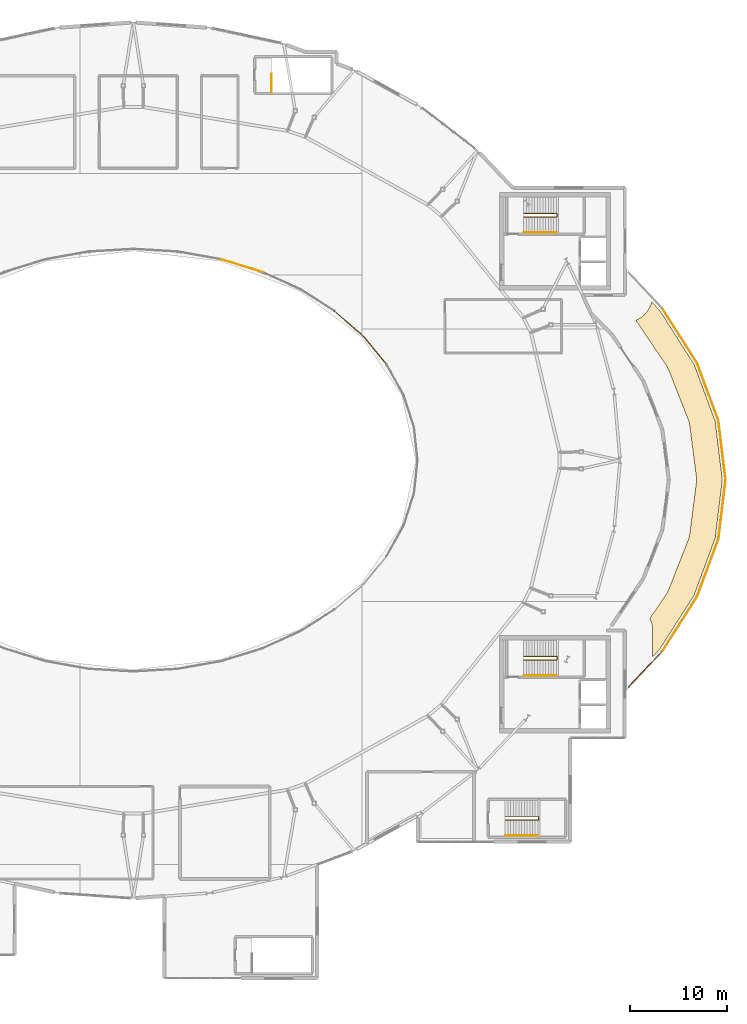
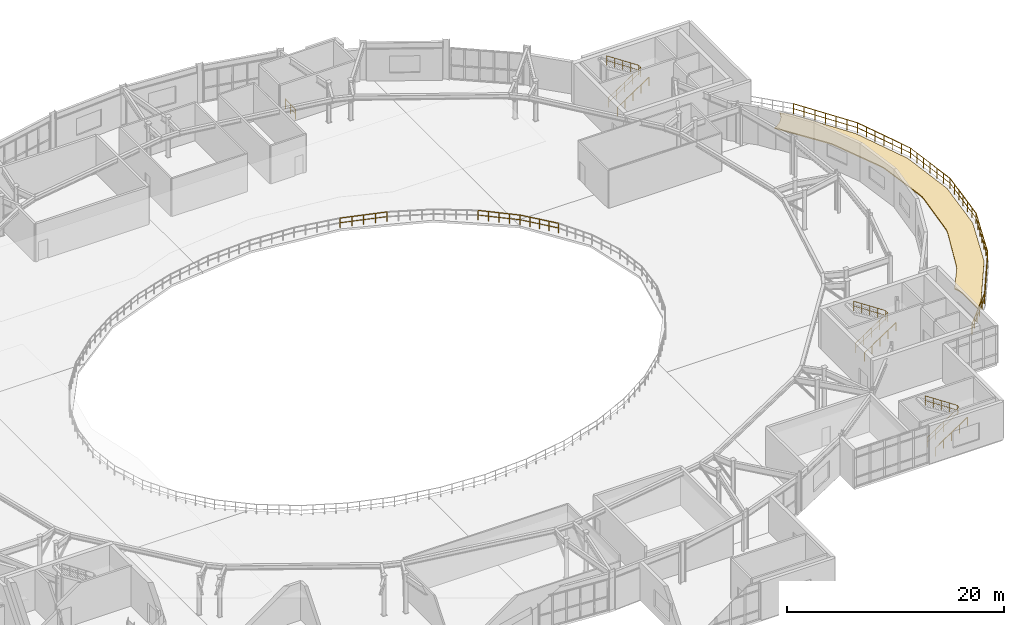
# One storey, part 47 of 48: 17 railings, 1 covering.
"""IFC4 building model written with IfcOpenShell, lengths in metres."""

from ifc_helpers import new_model, si_unit, direction, frame, origin, origin_2d, place, context, subcontext, project, spatial, polyline, circle, outline, extrude, material, layer, layer_set, type_object, element, save


model = new_model("IFC4")

# Units and contexts
model_context = context("Model", 3, precision=1e-05, world=origin(), true_north=direction((0.0, 1.0)))
body_context = subcontext(model_context, "Body", "Model", "MODEL_VIEW")
ifc_project = project(units=[si_unit("LENGTHUNIT", "METRE"), si_unit("AREAUNIT", "SQUARE_METRE"), si_unit("VOLUMEUNIT", "CUBIC_METRE"), si_unit("PLANEANGLEUNIT", "RADIAN"), si_unit("MASSUNIT", "GRAM", prefix="KILO")], contexts=[model_context])

# Site, building, storey
site_placement = place(None, origin())
site = spatial("IfcSite", under=ifc_project, at=site_placement, CompositionType="ELEMENT")
building_placement = place(site_placement, origin())
building = spatial("IfcBuilding", under=site, at=building_placement, Name="Glasvene Arena", CompositionType="ELEMENT")
storey_placement = place(building_placement, frame((0.0, 0.0, 19.5)))
storey = spatial("IfcBuildingStorey", under=building, at=storey_placement, Name="L04", CompositionType="ELEMENT", Elevation=19.5)

# Covering
ifc_material_1 = material(Name="Planted sedum green roof substrate")
ifc_layer = layer(ifc_material_1, 0.1201171875)
ifc_layer_set = layer_set([ifc_layer], Name="Planted sedum green roof substrate")
covering_type = type_object("IfcCoveringType", Name="COV-ROOF-SEDUM", PredefinedType="ROOFING", material=ifc_layer_set)
covering_placement = place(storey_placement, frame((147.055908203125, 73.1767578125, 0.0)))
element("IfcCovering", 1, at=covering_placement, inside=storey, type_object=covering_type, Name="Planted limestone terrace sedum bed TR-L04-STEP3-2-08", PredefinedType="ROOFING", context=body_context, shape_type="SweptSolid", body=[
    extrude(outline(polyline([(-3.44384765625, 14.19970703125), (-3.232177734375, 14.2998046875), (-3.193115234375, 14.320556640625), (-2.9912109375, 14.441650390625), (-2.95458984375, 14.46630859375), (-2.765380859375, 14.6064453125), (-2.731201171875, 14.634521484375), (-2.556640625, 14.792724609375), (-2.525390625, 14.823974609375), (-2.3671875, 14.99853515625), (-2.339111328125, 15.03271484375), (-2.198974609375, 15.221923828125), (-2.17431640625, 15.258544921875), (-2.05322265625, 15.46044921875), (-2.032470703125, 15.49951171875), (-1.931884765625, 15.71240234375), (-1.914794921875, 15.753173828125), (-1.83544921875, 15.974853515625), (-1.82275390625, 16.017333984375), (-1.805419921875, 16.0859375), (-0.996826171875, 15.228271484375), (2.554443359375, 9.658203125), (4.715576171875, 3.809814453125), (5.440673828125, -2.1767578125), (4.715576171875, -8.163330078125), (2.554443359375, -14.01171875), (-0.996826171875, -19.581787109375), (-1.705810546875, -20.333740234375), (-1.705810546875, -17.6767578125), (-1.706298828125, -17.654541015625), (-1.718017578125, -17.41943359375), (-1.722412109375, -17.37548828125), (-1.7568359375, -17.142578125), (-1.765625, -17.09912109375), (-1.82275390625, -16.870849609375), (-1.83544921875, -16.828369140625), (-1.914794921875, -16.606689453125), (-1.931884765625, -16.56591796875), (-1.99951171875, -16.42236328125), (-0.339599609375, -13.973388671875), (-0.326416015625, -13.952392578125), (-0.189697265625, -13.724853515625), (-0.16650390625, -13.6806640625), (-0.055908203125, -13.439453125), (-0.046142578125, -13.41650390625), (1.931884765625, -8.381103515625), (1.938232421875, -8.36376953125), (2.002685546875, -8.177734375), (2.013427734375, -8.142333984375), (2.0625, -7.95166015625), (2.070068359375, -7.91552734375), (2.103271484375, -7.721435546875), (2.10595703125, -7.703125), (2.770751953125, -2.540771484375), (2.772705078125, -2.521728515625), (2.790283203125, -2.317626953125), (2.7919921875, -2.279052734375), (2.7919921875, -2.074462890625), (2.790283203125, -2.035888671875), (2.772705078125, -1.831787109375), (2.770751953125, -1.812744140625), (2.10595703125, 3.349609375), (2.103271484375, 3.367919921875), (2.070068359375, 3.56201171875), (2.0625, 3.59814453125), (2.013427734375, 3.788818359375), (2.002685546875, 3.82421875), (1.938232421875, 4.01025390625), (1.931884765625, 4.027587890625), (-0.046142578125, 9.06298828125), (-0.055908203125, 9.0859375), (-0.16650390625, 9.3271484375), (-0.189697265625, 9.371337890625), (-0.326416015625, 9.598876953125), (-0.339599609375, 9.619873046875), (-3.44384765625, 14.19970703125)])), origin(), (0.0, 0.0, 1.0), 0.1201171875),
])

# Railings
ifc_material_2 = material(Name="Brushed stainless steel", Category="steel")
railing_type_1 = type_object("IfcRailingType", Name="RL-GUARD-1100", PredefinedType="GUARDRAIL", material=ifc_material_2)
railing_1_placement = place(storey_placement, frame((132.10009765625, 98.010009765625, 0.0)))
element("IfcRailing", 2, at=railing_1_placement, inside=storey, type_object=railing_type_1, Name="Stair inner well continuous guardrail ST-02-L04", PredefinedType="GUARDRAIL", context=body_context, shape_type="SweptSolid", body=[
    extrude(circle(Radius=0.02392578125, at=origin_2d()), frame((0.0, 0.0, 1.076171875), z_axis=(0.833924910587, 0.0, 0.551877924456), x_axis=(0.0, 1.0, 0.0)), (0.0, 0.0, 1.0), 4.076904296875),
    extrude(circle(Radius=0.01611328125, at=origin_2d()), frame((0.0, 0.0, 0.550048828125), z_axis=(0.833924910587, 0.0, 0.551877924456), x_axis=(0.0, 1.0, 0.0)), (0.0, 0.0, 1.0), 4.076904296875),
    extrude(circle(Radius=0.02392578125, at=origin_2d()), frame((3.39990234375, 0.0, 3.326171875), z_axis=(0.0, 1.0, 0.0), x_axis=(-1.0, 0.0, 0.0)), (0.0, 0.0, 1.0), 0.330078125),
    extrude(circle(Radius=0.01611328125, at=origin_2d()), frame((3.39990234375, 0.0, 2.800048828125), z_axis=(0.0, 1.0, 0.0), x_axis=(-1.0, 0.0, 0.0)), (0.0, 0.0, 1.0), 0.330078125),
    extrude(circle(Radius=0.02392578125, at=origin_2d()), frame((3.39990234375, 0.330078125, 3.326171875), z_axis=(-0.833924910587, 0.0, 0.551877924456), x_axis=(0.0, -1.0, 0.0)), (0.0, 0.0, 1.0), 4.076904296875),
    extrude(circle(Radius=0.01611328125, at=origin_2d()), frame((3.39990234375, 0.330078125, 2.800048828125), z_axis=(-0.833924910587, 0.0, 0.551877924456), x_axis=(0.0, -1.0, 0.0)), (0.0, 0.0, 1.0), 4.076904296875),
    extrude(circle(Radius=0.02099609375, at=origin_2d()), origin(), (0.0, 0.0, 1.0), 1.052001953125),
    extrude(circle(Radius=0.02099609375, at=origin_2d()), frame((0.85009765625, 0.0, 0.5625)), (0.0, 0.0, 1.0), 1.052001953125),
    extrude(circle(Radius=0.02099609375, at=origin_2d()), frame((1.699951171875, 0.0, 1.125)), (0.0, 0.0, 1.0), 1.052001953125),
    extrude(circle(Radius=0.02099609375, at=origin_2d()), frame((2.5498046875, 0.0, 1.6875)), (0.0, 0.0, 1.0), 1.052001953125),
    extrude(circle(Radius=0.02099609375, at=origin_2d()), frame((3.39990234375, 0.0, 2.25)), (0.0, 0.0, 1.0), 1.052001953125),
    extrude(circle(Radius=0.02099609375, at=origin_2d()), frame((3.39990234375, 0.330078125, 2.25)), (0.0, 0.0, 1.0), 1.052001953125),
    extrude(circle(Radius=0.02099609375, at=origin_2d()), frame((2.5498046875, 0.330078125, 2.8125)), (0.0, 0.0, 1.0), 1.052001953125),
    extrude(circle(Radius=0.02099609375, at=origin_2d()), frame((1.699951171875, 0.330078125, 3.375)), (0.0, 0.0, 1.0), 1.052001953125),
    extrude(circle(Radius=0.02099609375, at=origin_2d()), frame((0.85009765625, 0.330078125, 3.9375)), (0.0, 0.0, 1.0), 1.052001953125),
    extrude(circle(Radius=0.02099609375, at=origin_2d()), frame((0.0, 0.330078125, 4.5)), (0.0, 0.0, 1.0), 1.052001953125),
])
railing_2_placement = place(storey_placement, frame((132.10009765625, 52.510009765625, 0.0)))
element("IfcRailing", 3, at=railing_2_placement, inside=storey, type_object=railing_type_1, Name="Stair inner well continuous guardrail ST-04-L04", PredefinedType="GUARDRAIL", context=body_context, shape_type="SweptSolid", body=[
    extrude(circle(Radius=0.02392578125, at=origin_2d()), frame((0.0, 0.0, 1.076171875), z_axis=(0.833924910587, 0.0, 0.551877924456), x_axis=(0.0, 1.0, 0.0)), (0.0, 0.0, 1.0), 4.076904296875),
    extrude(circle(Radius=0.01611328125, at=origin_2d()), frame((0.0, 0.0, 0.550048828125), z_axis=(0.833924910587, 0.0, 0.551877924456), x_axis=(0.0, 1.0, 0.0)), (0.0, 0.0, 1.0), 4.076904296875),
    extrude(circle(Radius=0.02392578125, at=origin_2d()), frame((3.39990234375, 0.0, 3.326171875), z_axis=(0.0, 1.0, 0.0), x_axis=(-1.0, 0.0, 0.0)), (0.0, 0.0, 1.0), 0.330078125),
    extrude(circle(Radius=0.01611328125, at=origin_2d()), frame((3.39990234375, 0.0, 2.800048828125), z_axis=(0.0, 1.0, 0.0), x_axis=(-1.0, 0.0, 0.0)), (0.0, 0.0, 1.0), 0.330078125),
    extrude(circle(Radius=0.02392578125, at=origin_2d()), frame((3.39990234375, 0.330078125, 3.326171875), z_axis=(-0.833924910587, 0.0, 0.551877924456), x_axis=(0.0, -1.0, 0.0)), (0.0, 0.0, 1.0), 4.076904296875),
    extrude(circle(Radius=0.01611328125, at=origin_2d()), frame((3.39990234375, 0.330078125, 2.800048828125), z_axis=(-0.833924910587, 0.0, 0.551877924456), x_axis=(0.0, -1.0, 0.0)), (0.0, 0.0, 1.0), 4.076904296875),
    extrude(circle(Radius=0.02099609375, at=origin_2d()), origin(), (0.0, 0.0, 1.0), 1.052001953125),
    extrude(circle(Radius=0.02099609375, at=origin_2d()), frame((0.85009765625, 0.0, 0.5625)), (0.0, 0.0, 1.0), 1.052001953125),
    extrude(circle(Radius=0.02099609375, at=origin_2d()), frame((1.699951171875, 0.0, 1.125)), (0.0, 0.0, 1.0), 1.052001953125),
    extrude(circle(Radius=0.02099609375, at=origin_2d()), frame((2.5498046875, 0.0, 1.6875)), (0.0, 0.0, 1.0), 1.052001953125),
    extrude(circle(Radius=0.02099609375, at=origin_2d()), frame((3.39990234375, 0.0, 2.25)), (0.0, 0.0, 1.0), 1.052001953125),
    extrude(circle(Radius=0.02099609375, at=origin_2d()), frame((3.39990234375, 0.330078125, 2.25)), (0.0, 0.0, 1.0), 1.052001953125),
    extrude(circle(Radius=0.02099609375, at=origin_2d()), frame((2.5498046875, 0.330078125, 2.8125)), (0.0, 0.0, 1.0), 1.052001953125),
    extrude(circle(Radius=0.02099609375, at=origin_2d()), frame((1.699951171875, 0.330078125, 3.375)), (0.0, 0.0, 1.0), 1.052001953125),
    extrude(circle(Radius=0.02099609375, at=origin_2d()), frame((0.85009765625, 0.330078125, 3.9375)), (0.0, 0.0, 1.0), 1.052001953125),
    extrude(circle(Radius=0.02099609375, at=origin_2d()), frame((0.0, 0.330078125, 4.5)), (0.0, 0.0, 1.0), 1.052001953125),
])
railing_3_placement = place(storey_placement, frame((130.199951171875, 36.06005859375, 0.0)))
element("IfcRailing", 4, at=railing_3_placement, inside=storey, type_object=railing_type_1, Name="Stair inner well continuous guardrail ST-06-L04", PredefinedType="GUARDRAIL", context=body_context, shape_type="SweptSolid", body=[
    extrude(circle(Radius=0.02392578125, at=origin_2d()), frame((0.0, 0.0, 1.076171875), z_axis=(0.833943147616, 0.0, 0.551850366082), x_axis=(0.0, 1.0, 0.0)), (0.0, 0.0, 1.0), 4.0771484375),
    extrude(circle(Radius=0.01611328125, at=origin_2d()), frame((0.0, 0.0, 0.550048828125), z_axis=(0.833943147616, 0.0, 0.551850366082), x_axis=(0.0, 1.0, 0.0)), (0.0, 0.0, 1.0), 4.0771484375),
    extrude(circle(Radius=0.02392578125, at=origin_2d()), frame((3.400146484375, 0.0, 3.326171875), z_axis=(0.0, 1.0, 0.0), x_axis=(-1.0, 0.0, 0.0)), (0.0, 0.0, 1.0), 0.329833984375),
    extrude(circle(Radius=0.01611328125, at=origin_2d()), frame((3.400146484375, 0.0, 2.800048828125), z_axis=(0.0, 1.0, 0.0), x_axis=(-1.0, 0.0, 0.0)), (0.0, 0.0, 1.0), 0.329833984375),
    extrude(circle(Radius=0.02392578125, at=origin_2d()), frame((3.400146484375, 0.329833984375, 3.326171875), z_axis=(-0.833943147616, 0.0, 0.551850366082), x_axis=(0.0, -1.0, 0.0)), (0.0, 0.0, 1.0), 4.0771484375),
    extrude(circle(Radius=0.01611328125, at=origin_2d()), frame((3.400146484375, 0.329833984375, 2.800048828125), z_axis=(-0.833943147616, 0.0, 0.551850366082), x_axis=(0.0, -1.0, 0.0)), (0.0, 0.0, 1.0), 4.0771484375),
    extrude(circle(Radius=0.02099609375, at=origin_2d()), origin(), (0.0, 0.0, 1.0), 1.052001953125),
    extrude(circle(Radius=0.02099609375, at=origin_2d()), frame((0.85009765625, 0.0, 0.5625)), (0.0, 0.0, 1.0), 1.052001953125),
    extrude(circle(Radius=0.02099609375, at=origin_2d()), frame((1.7001953125, 0.0, 1.125)), (0.0, 0.0, 1.0), 1.052001953125),
    extrude(circle(Radius=0.02099609375, at=origin_2d()), frame((2.550048828125, 0.0, 1.6875)), (0.0, 0.0, 1.0), 1.052001953125),
    extrude(circle(Radius=0.02099609375, at=origin_2d()), frame((3.400146484375, 0.0, 2.25)), (0.0, 0.0, 1.0), 1.052001953125),
    extrude(circle(Radius=0.02099609375, at=origin_2d()), frame((3.400146484375, 0.329833984375, 2.25)), (0.0, 0.0, 1.0), 1.052001953125),
    extrude(circle(Radius=0.02099609375, at=origin_2d()), frame((2.550048828125, 0.329833984375, 2.8125)), (0.0, 0.0, 1.0), 1.052001953125),
    extrude(circle(Radius=0.02099609375, at=origin_2d()), frame((1.7001953125, 0.329833984375, 3.375)), (0.0, 0.0, 1.0), 1.052001953125),
    extrude(circle(Radius=0.02099609375, at=origin_2d()), frame((0.85009765625, 0.329833984375, 3.9375)), (0.0, 0.0, 1.0), 1.052001953125),
    extrude(circle(Radius=0.02099609375, at=origin_2d()), frame((0.0, 0.329833984375, 4.5)), (0.0, 0.0, 1.0), 1.052001953125),
])
railing_4_placement = place(storey_placement, frame((106.199951171875, 110.800048828125, 0.0)))
element("IfcRailing", 5, at=railing_4_placement, inside=storey, type_object=railing_type_1, Name="Stair top landing well guard ST-11", PredefinedType="GUARDRAIL", context=body_context, shape_type="SweptSolid", body=[
    extrude(circle(Radius=0.02392578125, at=origin_2d()), frame((0.0, 0.0, 1.076171875), z_axis=(0.0, 1.0, 0.0), x_axis=(-1.0, 0.0, 0.0)), (0.0, 0.0, 1.0), 1.89990234375),
    extrude(circle(Radius=0.01611328125, at=origin_2d()), frame((0.0, 0.0, 0.550048828125), z_axis=(0.0, 1.0, 0.0), x_axis=(-1.0, 0.0, 0.0)), (0.0, 0.0, 1.0), 1.89990234375),
    extrude(circle(Radius=0.02099609375, at=origin_2d()), origin(), (0.0, 0.0, 1.0), 1.052001953125),
    extrude(circle(Radius=0.02099609375, at=origin_2d()), frame((0.0, 0.949951171875, 0.0)), (0.0, 0.0, 1.0), 1.052001953125),
    extrude(circle(Radius=0.02099609375, at=origin_2d()), frame((0.0, 1.89990234375, 0.0)), (0.0, 0.0, 1.0), 1.052001953125),
])
railing_5_placement = place(storey_placement, frame((118.017333984375, 82.8515625, 0.0)))
element("IfcRailing", 6, at=railing_5_placement, inside=storey, type_object=railing_type_1, Name="Safety guardrail GD-BWL-L04-004", PredefinedType="GUARDRAIL", context=body_context, shape_type="SweptSolid", body=[
    extrude(circle(Radius=0.02392578125, at=origin_2d()), frame((0.0, 0.0, 1.076171875), z_axis=(-0.6361937785, 0.771529310006, 0.0), x_axis=(-0.771529310006, -0.6361937785, 0.0)), (0.0, 0.0, 1.0), 3.76318359375),
    extrude(circle(Radius=0.01611328125, at=origin_2d()), frame((0.0, 0.0, 0.550048828125), z_axis=(-0.6361937785, 0.771529310006, 0.0), x_axis=(-0.771529310006, -0.6361937785, 0.0)), (0.0, 0.0, 1.0), 3.76318359375),
    extrude(circle(Radius=0.02099609375, at=origin_2d()), origin(), (0.0, 0.0, 1.0), 1.052001953125),
    extrude(circle(Radius=0.02099609375, at=origin_2d()), frame((-0.5986328125, 0.725830078125, 0.0)), (0.0, 0.0, 1.0), 1.052001953125),
    extrude(circle(Radius=0.02099609375, at=origin_2d()), frame((-1.197021484375, 1.45166015625, 0.0)), (0.0, 0.0, 1.0), 1.052001953125),
    extrude(circle(Radius=0.02099609375, at=origin_2d()), frame((-1.79541015625, 2.177490234375, 0.0)), (0.0, 0.0, 1.0), 1.052001953125),
    extrude(circle(Radius=0.02099609375, at=origin_2d()), frame((-2.39404296875, 2.9033203125, 0.0)), (0.0, 0.0, 1.0), 1.052001953125),
])
railing_6_placement = place(storey_placement, frame((115.623291015625, 85.7548828125, 0.0)))
element("IfcRailing", 7, at=railing_6_placement, inside=storey, type_object=railing_type_1, Name="Safety guardrail GD-BWL-L04-005", PredefinedType="GUARDRAIL", context=body_context, shape_type="SweptSolid", body=[
    extrude(circle(Radius=0.02392578125, at=origin_2d()), frame((0.0, 0.0, 1.076171875), z_axis=(-0.754394959105, 0.656420784007, 0.0), x_axis=(-0.656420784007, -0.754394959105, 0.0)), (0.0, 0.0, 1.0), 3.944580078125),
    extrude(circle(Radius=0.01611328125, at=origin_2d()), frame((0.0, 0.0, 0.550048828125), z_axis=(-0.754394959105, 0.656420784007, 0.0), x_axis=(-0.656420784007, -0.754394959105, 0.0)), (0.0, 0.0, 1.0), 3.944580078125),
    extrude(circle(Radius=0.02099609375, at=origin_2d()), origin(), (0.0, 0.0, 1.0), 1.052001953125),
    extrude(circle(Radius=0.02099609375, at=origin_2d()), frame((-0.743896484375, 0.6474609375, 0.0)), (0.0, 0.0, 1.0), 1.052001953125),
    extrude(circle(Radius=0.02099609375, at=origin_2d()), frame((-1.48779296875, 1.294677734375, 0.0)), (0.0, 0.0, 1.0), 1.052001953125),
    extrude(circle(Radius=0.02099609375, at=origin_2d()), frame((-2.23193359375, 1.94189453125, 0.0)), (0.0, 0.0, 1.0), 1.052001953125),
    extrude(circle(Radius=0.02099609375, at=origin_2d()), frame((-2.975830078125, 2.58935546875, 0.0)), (0.0, 0.0, 1.0), 1.052001953125),
])
railing_7_placement = place(storey_placement, frame((105.256591796875, 92.334716796875, 0.0)))
element("IfcRailing", 8, at=railing_7_placement, inside=storey, type_object=railing_type_1, Name="Safety guardrail GD-BWL-L04-008", PredefinedType="GUARDRAIL", context=body_context, shape_type="SweptSolid", body=[
    extrude(circle(Radius=0.02392578125, at=origin_2d()), frame((0.0, 0.0, 1.076171875), z_axis=(-0.955738480796, 0.294217532323, 0.0), x_axis=(-0.294217532323, -0.955738480796, 0.0)), (0.0, 0.0, 1.0), 4.429443359375),
    extrude(circle(Radius=0.01611328125, at=origin_2d()), frame((0.0, 0.0, 0.550048828125), z_axis=(-0.955738480796, 0.294217532323, 0.0), x_axis=(-0.294217532323, -0.955738480796, 0.0)), (0.0, 0.0, 1.0), 4.429443359375),
    extrude(circle(Radius=0.02099609375, at=origin_2d()), origin(), (0.0, 0.0, 1.0), 1.052001953125),
    extrude(circle(Radius=0.02099609375, at=origin_2d()), frame((-1.058349609375, 0.32568359375, 0.0)), (0.0, 0.0, 1.0), 1.052001953125),
    extrude(circle(Radius=0.02099609375, at=origin_2d()), frame((-2.11669921875, 0.651611328125, 0.0)), (0.0, 0.0, 1.0), 1.052001953125),
    extrude(circle(Radius=0.02099609375, at=origin_2d()), frame((-3.175048828125, 0.9775390625, 0.0)), (0.0, 0.0, 1.0), 1.052001953125),
    extrude(circle(Radius=0.02099609375, at=origin_2d()), frame((-4.2333984375, 1.30322265625, 0.0)), (0.0, 0.0, 1.0), 1.052001953125),
])
ifc_material_3 = material(Name="Warm bronze architectural aluminium", Category="aluminium")
railing_type_2 = type_object("IfcRailingType", Name="RL-GUARD-EXT-1150", PredefinedType="GUARDRAIL", material=ifc_material_3)
railing_8_placement = place(storey_placement, frame((146.32080078125, 88.60888671875, 0.0)))
element("IfcRailing", 9, at=railing_8_placement, inside=storey, type_object=railing_type_2, Name="Safety guardrail GD-TER-L04-TR-L04-STEP3-2-01-001", PredefinedType="GUARDRAIL", context=body_context, shape_type="SweptSolid", body=[
    extrude(circle(Radius=0.02392578125, at=origin_2d()), frame((0.0, 0.0, 1.1259765625), z_axis=(0.537561891514, -0.84322429566, 0.0), x_axis=(0.84322429566, 0.537561891514, 0.0)), (0.0, 0.0, 1.0), 6.672607421875),
    extrude(circle(Radius=0.01611328125, at=origin_2d()), frame((0.0, 0.0, 0.574951171875), z_axis=(0.537561891514, -0.84322429566, 0.0), x_axis=(0.84322429566, 0.537561891514, 0.0)), (0.0, 0.0, 1.0), 6.672607421875),
    extrude(circle(Radius=0.02099609375, at=origin_2d()), origin(), (0.0, 0.0, 1.0), 1.101806640625),
    extrude(circle(Radius=0.02099609375, at=origin_2d()), frame((0.597900390625, -0.937744140625, 0.0)), (0.0, 0.0, 1.0), 1.101806640625),
    extrude(circle(Radius=0.02099609375, at=origin_2d()), frame((1.195556640625, -1.87548828125, 0.0)), (0.0, 0.0, 1.0), 1.101806640625),
    extrude(circle(Radius=0.02099609375, at=origin_2d()), frame((1.79345703125, -2.813232421875, 0.0)), (0.0, 0.0, 1.0), 1.101806640625),
    extrude(circle(Radius=0.02099609375, at=origin_2d()), frame((2.391357421875, -3.7509765625, 0.0)), (0.0, 0.0, 1.0), 1.101806640625),
    extrude(circle(Radius=0.02099609375, at=origin_2d()), frame((2.989013671875, -4.688720703125, 0.0)), (0.0, 0.0, 1.0), 1.101806640625),
    extrude(circle(Radius=0.02099609375, at=origin_2d()), frame((3.5869140625, -5.62646484375, 0.0)), (0.0, 0.0, 1.0), 1.101806640625),
])
railing_9_placement = place(storey_placement, frame((149.90771484375, 82.982421875, 0.0)))
element("IfcRailing", 10, at=railing_9_placement, inside=storey, type_object=railing_type_2, Name="Safety guardrail GD-TER-L04-TR-L04-STEP3-2-01-002", PredefinedType="GUARDRAIL", context=body_context, shape_type="SweptSolid", body=[
    extrude(circle(Radius=0.02392578125, at=origin_2d()), frame((0.0, 0.0, 1.1259765625), z_axis=(0.346619793576, -0.938005713576, 0.0), x_axis=(0.938005713576, 0.346619793576, 0.0)), (0.0, 0.0, 1.0), 6.308837890625),
    extrude(circle(Radius=0.01611328125, at=origin_2d()), frame((0.0, 0.0, 0.574951171875), z_axis=(0.346619793576, -0.938005713576, 0.0), x_axis=(0.938005713576, 0.346619793576, 0.0)), (0.0, 0.0, 1.0), 6.308837890625),
    extrude(circle(Radius=0.02099609375, at=origin_2d()), origin(), (0.0, 0.0, 1.0), 1.101806640625),
    extrude(circle(Radius=0.02099609375, at=origin_2d()), frame((0.364501953125, -0.986328125, 0.0)), (0.0, 0.0, 1.0), 1.101806640625),
    extrude(circle(Radius=0.02099609375, at=origin_2d()), frame((0.72900390625, -1.97265625, 0.0)), (0.0, 0.0, 1.0), 1.101806640625),
    extrude(circle(Radius=0.02099609375, at=origin_2d()), frame((1.09326171875, -2.958984375, 0.0)), (0.0, 0.0, 1.0), 1.101806640625),
    extrude(circle(Radius=0.02099609375, at=origin_2d()), frame((1.457763671875, -3.945068359375, 0.0)), (0.0, 0.0, 1.0), 1.101806640625),
    extrude(circle(Radius=0.02099609375, at=origin_2d()), frame((1.822265625, -4.931396484375, 0.0)), (0.0, 0.0, 1.0), 1.101806640625),
    extrude(circle(Radius=0.02099609375, at=origin_2d()), frame((2.186767578125, -5.917724609375, 0.0)), (0.0, 0.0, 1.0), 1.101806640625),
])
railing_10_placement = place(storey_placement, frame((152.094482421875, 77.064697265625, 0.0)))
element("IfcRailing", 11, at=railing_10_placement, inside=storey, type_object=railing_type_2, Name="Safety guardrail GD-TER-L04-TR-L04-STEP3-2-01-003", PredefinedType="GUARDRAIL", context=body_context, shape_type="SweptSolid", body=[
    extrude(circle(Radius=0.02392578125, at=origin_2d()), frame((0.0, 0.0, 1.1259765625), z_axis=(0.120251403144, -0.992743471417, 0.0), x_axis=(0.992743471417, 0.120251403144, 0.0)), (0.0, 0.0, 1.0), 6.109130859375),
    extrude(circle(Radius=0.01611328125, at=origin_2d()), frame((0.0, 0.0, 0.574951171875), z_axis=(0.120251403144, -0.992743471417, 0.0), x_axis=(0.992743471417, 0.120251403144, 0.0)), (0.0, 0.0, 1.0), 6.109130859375),
    extrude(circle(Radius=0.02099609375, at=origin_2d()), origin(), (0.0, 0.0, 1.0), 1.101806640625),
    extrude(circle(Radius=0.02099609375, at=origin_2d()), frame((0.12255859375, -1.0107421875, 0.0)), (0.0, 0.0, 1.0), 1.101806640625),
    extrude(circle(Radius=0.02099609375, at=origin_2d()), frame((0.244873046875, -2.021484375, 0.0)), (0.0, 0.0, 1.0), 1.101806640625),
    extrude(circle(Radius=0.02099609375, at=origin_2d()), frame((0.3671875, -3.0322265625, 0.0)), (0.0, 0.0, 1.0), 1.101806640625),
    extrude(circle(Radius=0.02099609375, at=origin_2d()), frame((0.48974609375, -4.043212890625, 0.0)), (0.0, 0.0, 1.0), 1.101806640625),
    extrude(circle(Radius=0.02099609375, at=origin_2d()), frame((0.6123046875, -5.053955078125, 0.0)), (0.0, 0.0, 1.0), 1.101806640625),
    extrude(circle(Radius=0.02099609375, at=origin_2d()), frame((0.734619140625, -6.064697265625, 0.0)), (0.0, 0.0, 1.0), 1.101806640625),
])
railing_11_placement = place(storey_placement, frame((152.8291015625, 71.0, 0.0)))
element("IfcRailing", 12, at=railing_11_placement, inside=storey, type_object=railing_type_2, Name="Safety guardrail GD-TER-L04-TR-L04-STEP3-2-01-004", PredefinedType="GUARDRAIL", context=body_context, shape_type="SweptSolid", body=[
    extrude(circle(Radius=0.02392578125, at=origin_2d()), frame((0.0, 0.0, 1.1259765625), z_axis=(-0.120251403144, -0.992743471417, 0.0), x_axis=(0.992743471417, -0.120251403144, 0.0)), (0.0, 0.0, 1.0), 6.109130859375),
    extrude(circle(Radius=0.01611328125, at=origin_2d()), frame((0.0, 0.0, 0.574951171875), z_axis=(-0.120251403144, -0.992743471417, 0.0), x_axis=(0.992743471417, -0.120251403144, 0.0)), (0.0, 0.0, 1.0), 6.109130859375),
    extrude(circle(Radius=0.02099609375, at=origin_2d()), origin(), (0.0, 0.0, 1.0), 1.101806640625),
    extrude(circle(Radius=0.02099609375, at=origin_2d()), frame((-0.12255859375, -1.0107421875, 0.0)), (0.0, 0.0, 1.0), 1.101806640625),
    extrude(circle(Radius=0.02099609375, at=origin_2d()), frame((-0.244873046875, -2.021484375, 0.0)), (0.0, 0.0, 1.0), 1.101806640625),
    extrude(circle(Radius=0.02099609375, at=origin_2d()), frame((-0.3671875, -3.0322265625, 0.0)), (0.0, 0.0, 1.0), 1.101806640625),
    extrude(circle(Radius=0.02099609375, at=origin_2d()), frame((-0.48974609375, -4.043212890625, 0.0)), (0.0, 0.0, 1.0), 1.101806640625),
    extrude(circle(Radius=0.02099609375, at=origin_2d()), frame((-0.6123046875, -5.053955078125, 0.0)), (0.0, 0.0, 1.0), 1.101806640625),
    extrude(circle(Radius=0.02099609375, at=origin_2d()), frame((-0.734619140625, -6.064697265625, 0.0)), (0.0, 0.0, 1.0), 1.101806640625),
])
railing_12_placement = place(storey_placement, frame((152.094482421875, 64.935302734375, 0.0)))
element("IfcRailing", 13, at=railing_12_placement, inside=storey, type_object=railing_type_2, Name="Safety guardrail GD-TER-L04-TR-L04-STEP3-2-01-005", PredefinedType="GUARDRAIL", context=body_context, shape_type="SweptSolid", body=[
    extrude(circle(Radius=0.02392578125, at=origin_2d()), frame((0.0, 0.0, 1.1259765625), z_axis=(-0.346619793576, -0.938005713576, 0.0), x_axis=(0.938005713576, -0.346619793576, 0.0)), (0.0, 0.0, 1.0), 6.308837890625),
    extrude(circle(Radius=0.01611328125, at=origin_2d()), frame((0.0, 0.0, 0.574951171875), z_axis=(-0.346619793576, -0.938005713576, 0.0), x_axis=(0.938005713576, -0.346619793576, 0.0)), (0.0, 0.0, 1.0), 6.308837890625),
    extrude(circle(Radius=0.02099609375, at=origin_2d()), origin(), (0.0, 0.0, 1.0), 1.101806640625),
    extrude(circle(Radius=0.02099609375, at=origin_2d()), frame((-0.364501953125, -0.986328125, 0.0)), (0.0, 0.0, 1.0), 1.101806640625),
    extrude(circle(Radius=0.02099609375, at=origin_2d()), frame((-0.72900390625, -1.97265625, 0.0)), (0.0, 0.0, 1.0), 1.101806640625),
    extrude(circle(Radius=0.02099609375, at=origin_2d()), frame((-1.09326171875, -2.958984375, 0.0)), (0.0, 0.0, 1.0), 1.101806640625),
    extrude(circle(Radius=0.02099609375, at=origin_2d()), frame((-1.457763671875, -3.945068359375, 0.0)), (0.0, 0.0, 1.0), 1.101806640625),
    extrude(circle(Radius=0.02099609375, at=origin_2d()), frame((-1.822265625, -4.931396484375, 0.0)), (0.0, 0.0, 1.0), 1.101806640625),
    extrude(circle(Radius=0.02099609375, at=origin_2d()), frame((-2.186767578125, -5.917724609375, 0.0)), (0.0, 0.0, 1.0), 1.101806640625),
])
railing_13_placement = place(storey_placement, frame((149.90771484375, 59.017578125, 0.0)))
element("IfcRailing", 14, at=railing_13_placement, inside=storey, type_object=railing_type_2, Name="Safety guardrail GD-TER-L04-TR-L04-STEP3-2-01-006", PredefinedType="GUARDRAIL", context=body_context, shape_type="SweptSolid", body=[
    extrude(circle(Radius=0.02392578125, at=origin_2d()), frame((0.0, 0.0, 1.1259765625), z_axis=(-0.537561891514, -0.84322429566, 0.0), x_axis=(0.84322429566, -0.537561891514, 0.0)), (0.0, 0.0, 1.0), 6.672607421875),
    extrude(circle(Radius=0.01611328125, at=origin_2d()), frame((0.0, 0.0, 0.574951171875), z_axis=(-0.537561891514, -0.84322429566, 0.0), x_axis=(0.84322429566, -0.537561891514, 0.0)), (0.0, 0.0, 1.0), 6.672607421875),
    extrude(circle(Radius=0.02099609375, at=origin_2d()), origin(), (0.0, 0.0, 1.0), 1.101806640625),
    extrude(circle(Radius=0.02099609375, at=origin_2d()), frame((-0.597900390625, -0.937744140625, 0.0)), (0.0, 0.0, 1.0), 1.101806640625),
    extrude(circle(Radius=0.02099609375, at=origin_2d()), frame((-1.195556640625, -1.87548828125, 0.0)), (0.0, 0.0, 1.0), 1.101806640625),
    extrude(circle(Radius=0.02099609375, at=origin_2d()), frame((-1.79345703125, -2.813232421875, 0.0)), (0.0, 0.0, 1.0), 1.101806640625),
    extrude(circle(Radius=0.02099609375, at=origin_2d()), frame((-2.391357421875, -3.7509765625, 0.0)), (0.0, 0.0, 1.0), 1.101806640625),
    extrude(circle(Radius=0.02099609375, at=origin_2d()), frame((-2.989013671875, -4.688720703125, 0.0)), (0.0, 0.0, 1.0), 1.101806640625),
    extrude(circle(Radius=0.02099609375, at=origin_2d()), frame((-3.5869140625, -5.62646484375, 0.0)), (0.0, 0.0, 1.0), 1.101806640625),
])
railing_14_placement = place(storey_placement, frame((146.32080078125, 53.39111328125, 0.0)))
element("IfcRailing", 15, at=railing_14_placement, inside=storey, type_object=railing_type_2, Name="Safety guardrail GD-TER-L04-TR-L04-STEP3-2-01-007", PredefinedType="GUARDRAIL", context=body_context, shape_type="SweptSolid", body=[
    extrude(circle(Radius=0.02392578125, at=origin_2d()), frame((0.0, 0.0, 1.1259765625), z_axis=(-0.68614718371, -0.727462742886, 0.0), x_axis=(0.727462742886, -0.68614718371, 0.0)), (0.0, 0.0, 1.0), 5.058349609375),
    extrude(circle(Radius=0.01611328125, at=origin_2d()), frame((0.0, 0.0, 0.574951171875), z_axis=(-0.68614718371, -0.727462742886, 0.0), x_axis=(0.727462742886, -0.68614718371, 0.0)), (0.0, 0.0, 1.0), 5.058349609375),
    extrude(circle(Radius=0.02099609375, at=origin_2d()), origin(), (0.0, 0.0, 1.0), 1.101806640625),
    extrude(circle(Radius=0.02099609375, at=origin_2d()), frame((-0.694091796875, -0.73583984375, 0.0)), (0.0, 0.0, 1.0), 1.101806640625),
    extrude(circle(Radius=0.02099609375, at=origin_2d()), frame((-1.38818359375, -1.471923828125, 0.0)), (0.0, 0.0, 1.0), 1.101806640625),
    extrude(circle(Radius=0.02099609375, at=origin_2d()), frame((-2.08251953125, -2.207763671875, 0.0)), (0.0, 0.0, 1.0), 1.101806640625),
    extrude(circle(Radius=0.02099609375, at=origin_2d()), frame((-2.776611328125, -2.94384765625, 0.0)), (0.0, 0.0, 1.0), 1.101806640625),
    extrude(circle(Radius=0.02099609375, at=origin_2d()), frame((-3.470703125, -3.6796875, 0.0)), (0.0, 0.0, 1.0), 1.101806640625),
])
railing_type_3 = type_object("IfcRailingType", Name="RL-HAND-950", PredefinedType="HANDRAIL", material=ifc_material_2)
for number, where, name in (
    (16, (132.10009765625, 96.409912109375, 0.0), "Stair wall handrail ST-02-L04"),
    (17, (132.10009765625, 50.909912109375, 0.0), "Stair wall handrail ST-04-L04"),
):
    element("IfcRailing", number, at=place(storey_placement, frame(where)), inside=storey, type_object=railing_type_3, Name=name, PredefinedType="HANDRAIL", context=body_context, shape_type="SweptSolid", body=[
        extrude(circle(Radius=0.02392578125, at=origin_2d()), frame((0.0, 0.0, 0.92578125), z_axis=(0.830896709279, 0.0, 0.556426687452), x_axis=(0.0, 1.0, 0.0)), (0.0, 0.0, 1.0), 4.043701171875),
        extrude(circle(Radius=0.02099609375, at=origin_2d()), origin(), (0.0, 0.0, 1.0), 0.90185546875),
        extrude(circle(Radius=0.02099609375, at=origin_2d()), frame((0.83984375, 0.0, 0.5625)), (0.0, 0.0, 1.0), 0.90185546875),
        extrude(circle(Radius=0.02099609375, at=origin_2d()), frame((1.679931640625, 0.0, 1.125)), (0.0, 0.0, 1.0), 0.90185546875),
        extrude(circle(Radius=0.02099609375, at=origin_2d()), frame((2.52001953125, 0.0, 1.6875)), (0.0, 0.0, 1.0), 0.90185546875),
        extrude(circle(Radius=0.02099609375, at=origin_2d()), frame((3.35986328125, 0.0, 2.25)), (0.0, 0.0, 1.0), 0.90185546875),
    ])
railing_15_placement = place(storey_placement, frame((130.199951171875, 34.4599609375, 0.0)))
element("IfcRailing", 18, at=railing_15_placement, inside=storey, type_object=railing_type_3, Name="Stair wall handrail ST-06-L04", PredefinedType="HANDRAIL", context=body_context, shape_type="SweptSolid", body=[
    extrude(circle(Radius=0.02392578125, at=origin_2d()), frame((0.0, 0.0, 0.92578125), z_axis=(0.830915400975, 0.0, 0.556398774641), x_axis=(0.0, 1.0, 0.0)), (0.0, 0.0, 1.0), 4.0439453125),
    extrude(circle(Radius=0.02099609375, at=origin_2d()), origin(), (0.0, 0.0, 1.0), 0.90185546875),
    extrude(circle(Radius=0.02099609375, at=origin_2d()), frame((0.840087890625, 0.0, 0.5625)), (0.0, 0.0, 1.0), 0.90185546875),
    extrude(circle(Radius=0.02099609375, at=origin_2d()), frame((1.68017578125, 0.0, 1.125)), (0.0, 0.0, 1.0), 0.90185546875),
    extrude(circle(Radius=0.02099609375, at=origin_2d()), frame((2.52001953125, 0.0, 1.6875)), (0.0, 0.0, 1.0), 0.90185546875),
    extrude(circle(Radius=0.02099609375, at=origin_2d()), frame((3.360107421875, 0.0, 2.25)), (0.0, 0.0, 1.0), 0.90185546875),
])

save(model, "model.ifc")
